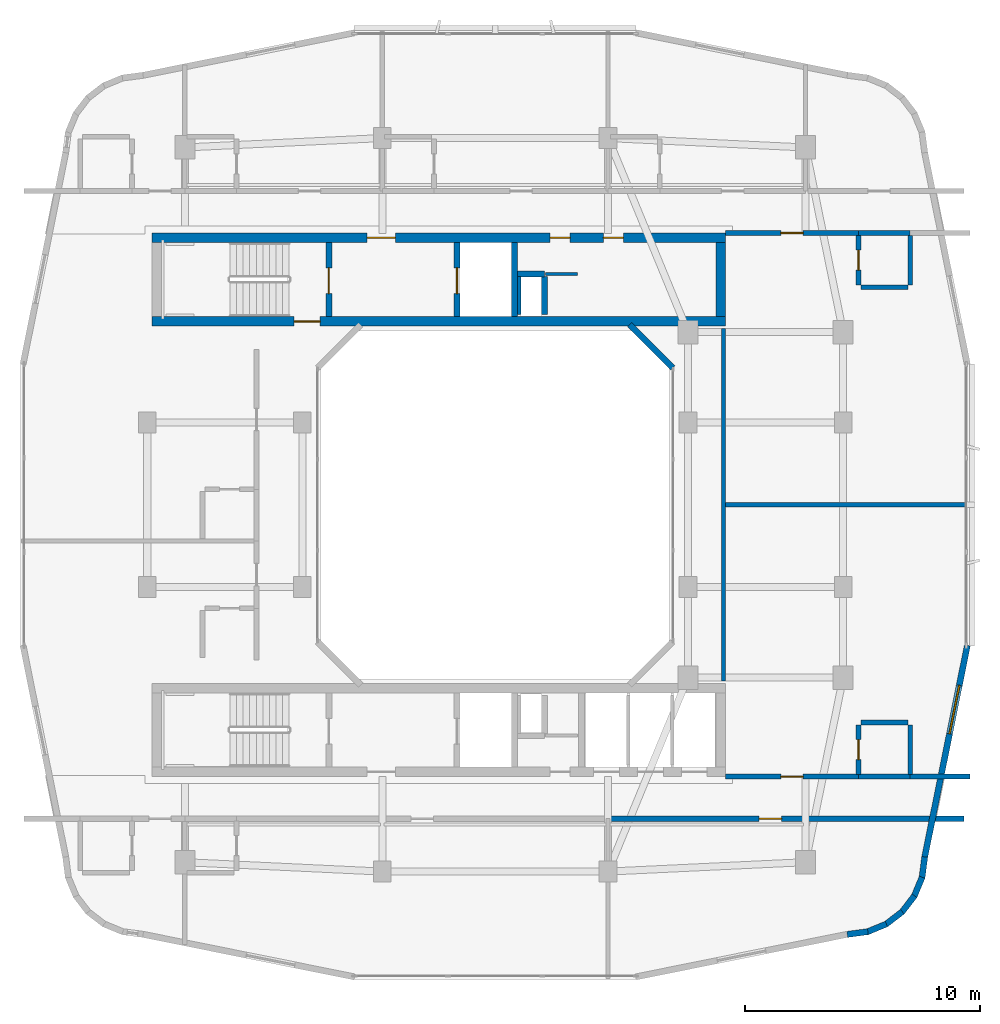
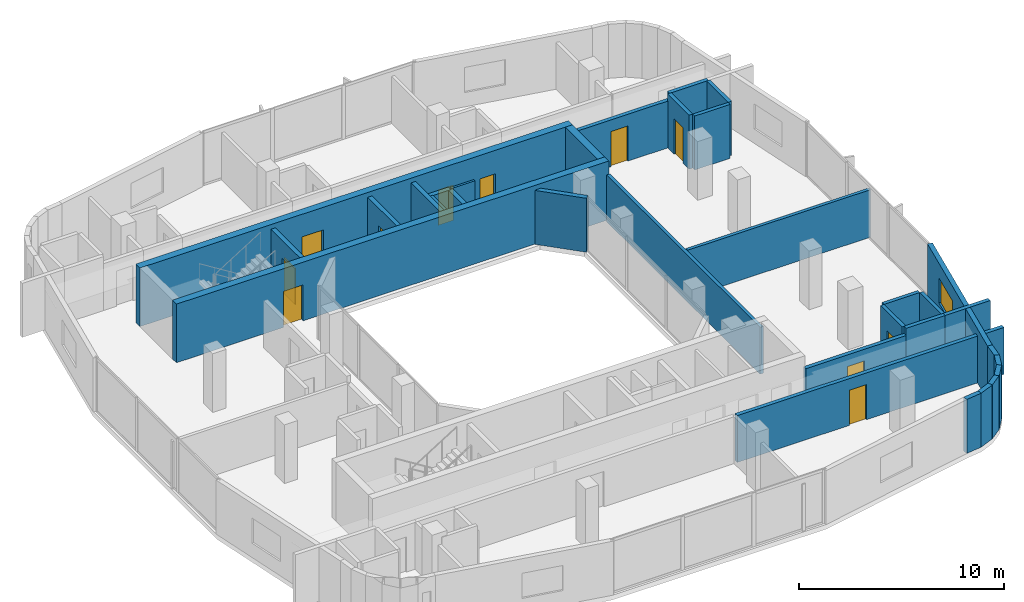
# One storey, part 8 of 14: 32 walls, 11 doors, 1 window, 12 openings.
"""IFC4 building model written with IfcOpenShell, lengths in metres."""

from ifc_helpers import new_model, si_unit, derived_unit, direction, frame, frame_2d, origin, place, context, subcontext, project, spatial, rectangle, extrude, material, layer, layer_set, type_object, element, fill, save


model = new_model("IFC4")

# Units and contexts
model_context = context("Model", 3, precision=1e-05, world=origin(), true_north=direction((0.0, 1.0)))
body_context = subcontext(model_context, "Body", "Model", "MODEL_VIEW")
ifc_project = project(units=[si_unit("LENGTHUNIT", "METRE"), si_unit("AREAUNIT", "SQUARE_METRE"), si_unit("VOLUMEUNIT", "CUBIC_METRE"), si_unit("PLANEANGLEUNIT", "RADIAN"), si_unit("MASSUNIT", "GRAM", prefix="KILO"), derived_unit("THERMALTRANSMITTANCEUNIT", [(si_unit("POWERUNIT", "WATT"), 1), (si_unit("LENGTHUNIT", "METRE"), -2), (si_unit("THERMODYNAMICTEMPERATUREUNIT", "KELVIN"), -1)])], contexts=[model_context])

# Site, building, storey
site_placement = place(None, origin())
site = spatial("IfcSite", under=ifc_project, at=site_placement, CompositionType="ELEMENT")
building_placement = place(site_placement, origin())
building = spatial("IfcBuilding", under=site, at=building_placement, Name="Kivonza Crest Hotel", CompositionType="ELEMENT")
storey_placement = place(building_placement, frame((0.0, 0.0, 152.0)))
storey = spatial("IfcBuildingStorey", under=building, at=storey_placement, Name="L41", CompositionType="ELEMENT", Elevation=152.0)

# Walls
ifc_material_1 = material(Name="High-density acoustic masonry inter-tenancy wall", Category="masonry")
ifc_layer_1 = layer(ifc_material_1, 0.179931640625)
ifc_layer_set_1 = layer_set([ifc_layer_1], Name="High-density acoustic masonry inter-tenancy wall")
wall_type_1 = type_object("IfcWallType", Name="WL-ACOU-180", PredefinedType="SOLIDWALL", material=ifc_layer_set_1)
wall_1_placement = place(storey_placement, frame((30.800048828125, 25.0, 0.0), z_axis=(0.0, 0.0, 1.0), x_axis=(1.0, 0.0, 0.0)))
element("IfcWall", 1, at=wall_1_placement, inside=storey, type_object=wall_type_1, Name="L41 interior partition WA-L41-T1EC-DIV", PredefinedType="SOLIDWALL", context=body_context, shape_type="SweptSolid", body=[
    extrude(rectangle(XDim=10.33984375, YDim=0.179931640625, at=frame_2d((5.169921875, 0.0))), origin(), (0.0, 0.0, 1.0), 2.8349609375),
])
wall_2_placement = place(storey_placement, frame((30.7099609375, 17.5, 0.0), z_axis=(0.0, 0.0, 1.0), x_axis=(0.0, 1.0, 0.0)))
element("IfcWall", 2, at=wall_2_placement, inside=storey, type_object=wall_type_1, Name="L41 interior partition WA-L41-T1EC-W", PredefinedType="SOLIDWALL", context=body_context, shape_type="SweptSolid", body=[
    extrude(rectangle(XDim=15.0, YDim=0.179931640625, at=frame_2d((7.5, 0.0))), origin(), (0.0, 0.0, 1.0), 2.794921875),
])

# Wall, opening, door
ifc_material_2 = material(Name="Autoclaved aerated concrete blockwork", Category="masonry")
ifc_layer_2 = layer(ifc_material_2, 0.219970703125)
ifc_layer_set_2 = layer_set([ifc_layer_2], Name="Autoclaved aerated concrete blockwork")
wall_type_2 = type_object("IfcWallType", Name="WL-ACOU-220", PredefinedType="SOLIDWALL", material=ifc_layer_set_2)
wall_3_placement = place(storey_placement, frame((25.89990234375, 11.64990234375, 0.0), z_axis=(0.0, 0.0, 1.0), x_axis=(1.0, 0.0, 0.0)))
wall_3 = element("IfcWall", 3, at=wall_3_placement, inside=storey, type_object=wall_type_2, Name="L41 interior partition WA-L41-BUS-MTG-N", PredefinedType="SOLIDWALL", context=body_context, shape_type="SweptSolid", body=[
    extrude(rectangle(XDim=15.0400390625, YDim=0.219970703125, at=frame_2d((7.52001953125, 0.0))), origin(), (0.0, 0.0, 1.0), 2.794921875),
])
opening_1_placement = place(wall_3_placement, frame((6.330078125, 0.0, 0.0)))
opening_1 = element("IfcOpeningElement", 4, at=opening_1_placement, cuts=wall_3, Name="Opening DF-60S", PredefinedType="OPENING", context=body_context, shape_type="SweptSolid", body=[
    extrude(rectangle(XDim=0.949951171875, YDim=2.10009765625, at=frame_2d((0.47509765625, 1.050048828125))), frame((0.0, 0.1201171875, 0.0), z_axis=(0.0, -1.0, 0.0), x_axis=(1.0, 0.0, 0.0)), (0.0, 0.0, 1.0), 0.239990234375),
])
ifc_material_3 = material(Name="Hardwood timber oak", Category="wood")
door_type_1 = type_object("IfcDoorType", Name="DR-FD60-950", OperationType="NOTDEFINED", PredefinedType="DOOR", material=ifc_material_3)
door_1_placement = place(opening_1_placement, frame((0.949951171875, 0.0, 0.0), z_axis=(0.0, 0.0, 1.0), x_axis=(-1.0, 0.0, 0.0)))
door_1 = element("IfcDoor", 5, at=door_1_placement, inside=storey, type_object=door_type_1, Name="L41 Executive Club Lounge door", OperationType="SINGLE_SWING_RIGHT", OverallHeight=2.10009765625, OverallWidth=0.949951171875, PredefinedType="DOOR", context=body_context, shape_type="SweptSolid", body=[
    extrude(rectangle(XDim=0.949951171875, YDim=2.10009765625, at=frame_2d((0.47509765625, 1.050048828125))), frame((0.0, 0.02490234375, 0.0), z_axis=(0.0, -1.0, 0.0), x_axis=(1.0, 0.0, 0.0)), (0.0, 0.0, 1.0), 0.050048828125),
])
fill(opening_1, door_1)

# Walls
wall_4_placement = place(storey_placement, frame((38.64990234375, 13.43994140625, 0.0), z_axis=(0.0, 0.0, 1.0), x_axis=(1.0, 0.0, 0.0)))
element("IfcWall", 6, at=wall_4_placement, inside=storey, type_object=wall_type_2, Name="L41 interior partition WA-L41-ES09-XCORR", PredefinedType="SOLIDWALL", context=body_context, shape_type="SweptSolid", body=[
    extrude(rectangle(XDim=2.550048828125, YDim=0.219970703125, at=frame_2d((1.27490234375, 0.0))), origin(), (0.0, 0.0, 1.0), 3.219970703125),
])
wall_5_placement = place(storey_placement, frame((36.449951171875, 13.43994140625, 0.0), z_axis=(0.0, 0.0, 1.0), x_axis=(1.0, 0.0, 0.0)))
element("IfcWall", 7, at=wall_5_placement, inside=storey, type_object=wall_type_2, Name="L41 interior partition WA-L41-ES09-BCORR", PredefinedType="SOLIDWALL", context=body_context, shape_type="SweptSolid", body=[
    extrude(rectangle(XDim=2.199951171875, YDim=0.219970703125, at=frame_2d((1.10009765625, 0.0))), origin(), (0.0, 0.0, 1.0), 3.219970703125),
])

# Wall, opening, door
wall_6_placement = place(storey_placement, frame((30.800048828125, 13.43994140625, 0.0), z_axis=(0.0, 0.0, 1.0), x_axis=(1.0, 0.0, 0.0)))
wall_6 = element("IfcWall", 8, at=wall_6_placement, inside=storey, type_object=wall_type_2, Name="L41 interior partition WA-L41-ES09-MCORR", PredefinedType="SOLIDWALL", context=body_context, shape_type="SweptSolid", body=[
    extrude(rectangle(XDim=5.64990234375, YDim=0.219970703125, at=frame_2d((2.824951171875, 0.0))), origin(), (0.0, 0.0, 1.0), 2.794921875),
])
opening_2_placement = place(wall_6_placement, frame((2.35009765625, 0.0, 0.0)))
opening_2 = element("IfcOpeningElement", 9, at=opening_2_placement, cuts=wall_6, Name="Opening DU-60", PredefinedType="OPENING", context=body_context, shape_type="SweptSolid", body=[
    extrude(rectangle(XDim=0.949951171875, YDim=2.10009765625, at=frame_2d((0.47509765625, 1.050048828125))), frame((0.0, 0.1201171875, 0.0), z_axis=(0.0, -1.0, 0.0), x_axis=(1.0, 0.0, 0.0)), (0.0, 0.0, 1.0), 0.239990234375),
])
door_type_2 = type_object("IfcDoorType", Name="DR-UNIT-950", OperationType="NOTDEFINED", PredefinedType="DOOR", material=ifc_material_3)
door_2_placement = place(opening_2_placement, origin())
door_2 = element("IfcDoor", 10, at=door_2_placement, inside=storey, type_object=door_type_2, Name="L41 ES09 guest unit entrance fire door", OperationType="SINGLE_SWING_RIGHT", OverallHeight=2.10009765625, OverallWidth=0.949951171875, PredefinedType="DOOR", context=body_context, shape_type="SweptSolid", body=[
    extrude(rectangle(XDim=0.949951171875, YDim=2.10009765625, at=frame_2d((0.47509765625, 1.050048828125))), frame((0.0, 0.02490234375, 0.0), z_axis=(0.0, -1.0, 0.0), x_axis=(1.0, 0.0, 0.0)), (0.0, 0.0, 1.0), 0.050048828125),
])
fill(opening_2, door_2)

# Wall
wall_7_placement = place(storey_placement, frame((36.449951171875, 36.56005859375, 0.0), z_axis=(0.0, 0.0, 1.0), x_axis=(1.0, 0.0, 0.0)))
element("IfcWall", 11, at=wall_7_placement, inside=storey, type_object=wall_type_2, Name="L41 interior partition WA-L41-EN10-BCORR", PredefinedType="SOLIDWALL", context=body_context, shape_type="SweptSolid", body=[
    extrude(rectangle(XDim=2.199951171875, YDim=0.219970703125, at=frame_2d((1.10009765625, 0.0))), origin(), (0.0, 0.0, 1.0), 3.219970703125),
])

# Wall, opening, door
wall_8_placement = place(storey_placement, frame((30.800048828125, 36.56005859375, 0.0), z_axis=(0.0, 0.0, 1.0), x_axis=(1.0, 0.0, 0.0)))
wall_8 = element("IfcWall", 12, at=wall_8_placement, inside=storey, type_object=wall_type_2, Name="L41 interior partition WA-L41-EN10-MCORR", PredefinedType="SOLIDWALL", context=body_context, shape_type="SweptSolid", body=[
    extrude(rectangle(XDim=5.64990234375, YDim=0.219970703125, at=frame_2d((2.824951171875, 0.0))), origin(), (0.0, 0.0, 1.0), 2.794921875),
])
opening_3_placement = place(wall_8_placement, frame((2.35009765625, 0.0, 0.0)))
opening_3 = element("IfcOpeningElement", 13, at=opening_3_placement, cuts=wall_8, Name="Opening DU-60", PredefinedType="OPENING", context=body_context, shape_type="SweptSolid", body=[
    extrude(rectangle(XDim=0.949951171875, YDim=2.10009765625, at=frame_2d((0.47509765625, 1.050048828125))), frame((0.0, 0.1201171875, 0.0), z_axis=(0.0, -1.0, 0.0), x_axis=(1.0, 0.0, 0.0)), (0.0, 0.0, 1.0), 0.239990234375),
])
door_3_placement = place(opening_3_placement, frame((0.949951171875, 0.0, 0.0), z_axis=(0.0, 0.0, 1.0), x_axis=(-1.0, 0.0, 0.0)))
door_3 = element("IfcDoor", 14, at=door_3_placement, inside=storey, type_object=door_type_2, Name="L41 EN10 guest unit entrance fire door", OperationType="SINGLE_SWING_LEFT", OverallHeight=2.10009765625, OverallWidth=0.949951171875, PredefinedType="DOOR", context=body_context, shape_type="SweptSolid", body=[
    extrude(rectangle(XDim=0.949951171875, YDim=2.10009765625, at=frame_2d((0.47509765625, 1.050048828125))), frame((0.0, 0.02490234375, 0.0), z_axis=(0.0, -1.0, 0.0), x_axis=(1.0, 0.0, 0.0)), (0.0, 0.0, 1.0), 0.050048828125),
])
fill(opening_3, door_3)

ifc_material_4 = material(Name="Concrete C50/60", Category="concrete")
ifc_layer_3 = layer(ifc_material_4, 0.39990234375)
ifc_layer_set_3 = layer_set([ifc_layer_3], Name="Concrete C50/60")
wall_type_3 = type_object("IfcWallType", Name="WL-CORE-400", PredefinedType="SHEAR", material=ifc_layer_set_3)
wall_9_placement = place(storey_placement, frame((6.39990234375, 32.800048828125, 0.0), z_axis=(0.0, 0.0, 1.0), x_axis=(1.0, 0.0, 0.0)))
wall_9 = element("IfcWall", 15, at=wall_9_placement, inside=storey, type_object=wall_type_3, Name="Core wall T1-N South L41", PredefinedType="SHEAR", context=body_context, shape_type="SweptSolid", body=[
    extrude(rectangle(XDim=24.400146484375, YDim=0.39990234375, at=frame_2d((12.2001953125, 0.0))), origin(), (0.0, 0.0, 1.0), 3.5),
])
opening_4_placement = place(wall_9_placement, frame((6.050048828125, 0.0, 0.0)))
opening_4 = element("IfcOpeningElement", 16, at=opening_4_placement, cuts=wall_9, Name="Opening DF-120", PredefinedType="OPENING", context=body_context, shape_type="SweptSolid", body=[
    extrude(rectangle(XDim=1.10009765625, YDim=2.14990234375, at=frame_2d((0.550048828125, 1.074951171875))), frame((0.0, 0.2099609375, 0.0), z_axis=(0.0, -1.0, 0.0), x_axis=(1.0, 0.0, 0.0)), (0.0, 0.0, 1.0), 0.419921875),
])
ifc_material_5 = material(Name="Galvanised steel", Category="steel")
door_type_3 = type_object("IfcDoorType", Name="DR-FD120-1100", OperationType="NOTDEFINED", PredefinedType="DOOR", material=ifc_material_5)
door_4_placement = place(opening_4_placement, origin())
door_4 = element("IfcDoor", 17, at=door_4_placement, inside=storey, type_object=door_type_3, Name="L41 West corridor stair access fire door", OperationType="SINGLE_SWING_LEFT", OverallHeight=2.14990234375, OverallWidth=1.10009765625, PredefinedType="DOOR", context=body_context, shape_type="SweptSolid", body=[
    extrude(rectangle(XDim=1.10009765625, YDim=2.14990234375, at=frame_2d((0.550048828125, 1.074951171875))), frame((0.0, 0.02490234375, 0.0), z_axis=(0.0, -1.0, 0.0), x_axis=(1.0, 0.0, 0.0)), (0.0, 0.0, 1.0), 0.050048828125),
])
fill(opening_4, door_4)

# Wall, openings, doors
wall_10_placement = place(storey_placement, frame((6.39990234375, 36.360107421875, 0.0), z_axis=(0.0, 0.0, 1.0), x_axis=(1.0, 0.0, 0.0)))
wall_10 = element("IfcWall", 18, at=wall_10_placement, inside=storey, type_object=wall_type_3, Name="Core wall T1-N North L41", PredefinedType="SHEAR", context=body_context, shape_type="SweptSolid", body=[
    extrude(rectangle(XDim=24.400146484375, YDim=0.39990234375, at=frame_2d((12.2001953125, 0.0))), origin(), (0.0, 0.0, 1.0), 3.5),
])
opening_5_placement = place(wall_10_placement, frame((9.14990234375, 0.0, 0.0)))
opening_5 = element("IfcOpeningElement", 19, at=opening_5_placement, cuts=wall_10, Name="Opening DF-60", PredefinedType="OPENING", context=body_context, shape_type="SweptSolid", body=[
    extrude(rectangle(XDim=1.199951171875, YDim=2.14990234375, at=frame_2d((0.60009765625, 1.074951171875))), frame((0.0, 0.2099609375, 0.0), z_axis=(0.0, -1.0, 0.0), x_axis=(1.0, 0.0, 0.0)), (0.0, 0.0, 1.0), 0.419921875),
])
opening_6_placement = place(wall_10_placement, frame((19.199951171875, 0.0, 0.0)))
opening_6 = element("IfcOpeningElement", 20, at=opening_6_placement, cuts=wall_10, Name="Opening DF-60R", PredefinedType="OPENING", context=body_context, shape_type="SweptSolid", body=[
    extrude(rectangle(XDim=0.85009765625, YDim=2.10009765625, at=frame_2d((0.425048828125, 1.050048828125))), frame((0.0, 0.2099609375, 0.0), z_axis=(0.0, -1.0, 0.0), x_axis=(1.0, 0.0, 0.0)), (0.0, 0.0, 1.0), 0.419921875),
])
opening_7_placement = place(wall_10_placement, frame((16.93994140625, 0.0, 0.0)))
opening_7 = element("IfcOpeningElement", 21, at=opening_7_placement, cuts=wall_10, Name="Opening DF-60R", PredefinedType="OPENING", context=body_context, shape_type="SweptSolid", body=[
    extrude(rectangle(XDim=0.85009765625, YDim=2.10009765625, at=frame_2d((0.425048828125, 1.050048828125))), frame((0.0, 0.2099609375, 0.0), z_axis=(0.0, -1.0, 0.0), x_axis=(1.0, 0.0, 0.0)), (0.0, 0.0, 1.0), 0.419921875),
])
door_type_4 = type_object("IfcDoorType", Name="DR-FD60-1200", OperationType="NOTDEFINED", PredefinedType="DOOR", material=ifc_material_3)
door_5_placement = place(opening_5_placement, origin())
door_5 = element("IfcDoor", 22, at=door_5_placement, inside=storey, type_object=door_type_4, Name="L41 T1-N firefighting lobby fire door", OperationType="SINGLE_SWING_RIGHT", OverallHeight=2.14990234375, OverallWidth=1.199951171875, PredefinedType="DOOR", context=body_context, shape_type="SweptSolid", body=[
    extrude(rectangle(XDim=1.199951171875, YDim=2.14990234375, at=frame_2d((0.60009765625, 1.074951171875))), frame((0.0, 0.02490234375, 0.0), z_axis=(0.0, -1.0, 0.0), x_axis=(1.0, 0.0, 0.0)), (0.0, 0.0, 1.0), 0.050048828125),
])
fill(opening_5, door_5)
door_type_5 = type_object("IfcDoorType", Name="DR-FD60-850", OperationType="NOTDEFINED", PredefinedType="DOOR", material=ifc_material_3)
door_6_placement = place(opening_6_placement, origin())
door_6 = element("IfcDoor", 23, at=door_6_placement, inside=storey, type_object=door_type_5, Name="L41 T1-N reclaimed core service door", OperationType="SINGLE_SWING_LEFT", OverallHeight=2.10009765625, OverallWidth=0.85009765625, PredefinedType="DOOR", context=body_context, shape_type="SweptSolid", body=[
    extrude(rectangle(XDim=0.85009765625, YDim=2.10009765625, at=frame_2d((0.425048828125, 1.050048828125))), frame((0.0, 0.02490234375, 0.0), z_axis=(0.0, -1.0, 0.0), x_axis=(1.0, 0.0, 0.0)), (0.0, 0.0, 1.0), 0.050048828125),
])
fill(opening_6, door_6)
door_7_placement = place(opening_7_placement, origin())
door_7 = element("IfcDoor", 24, at=door_7_placement, inside=storey, type_object=door_type_5, Name="L41 T1-N core room door", OperationType="SINGLE_SWING_RIGHT", OverallHeight=2.10009765625, OverallWidth=0.85009765625, PredefinedType="DOOR", context=body_context, shape_type="SweptSolid", body=[
    extrude(rectangle(XDim=0.85009765625, YDim=2.10009765625, at=frame_2d((0.425048828125, 1.050048828125))), frame((0.0, 0.02490234375, 0.0), z_axis=(0.0, -1.0, 0.0), x_axis=(1.0, 0.0, 0.0)), (0.0, 0.0, 1.0), 0.050048828125),
])
fill(opening_7, door_7)

# Walls
wall_11_placement = place(storey_placement, frame((30.60009765625, 33.0, 0.0), z_axis=(0.0, 0.0, 1.0), x_axis=(0.0, 1.0, 0.0)))
element("IfcWall", 25, at=wall_11_placement, inside=storey, type_object=wall_type_3, Name="Core wall T1-N East L41", PredefinedType="SHEAR", context=body_context, shape_type="SweptSolid", body=[
    extrude(rectangle(XDim=3.159912109375, YDim=0.39990234375, at=frame_2d((1.580078125, 0.0))), origin(), (0.0, 0.0, 1.0), 3.5),
])
ifc_material_6 = material(Name="Precast concrete C40/50", Category="concrete")
ifc_layer_4 = layer(ifc_material_6, 0.260009765625)
ifc_layer_set_4 = layer_set([ifc_layer_4], Name="Precast concrete C40/50")
wall_type_4 = type_object("IfcWallType", Name="WL-EXT-260", PredefinedType="STANDARD", material=ifc_layer_set_4)
wall_12_placement = place(storey_placement, frame((35.97509765625, 6.72802734375, 0.0), z_axis=(0.0, 0.0, 1.0), x_axis=(0.991388484223, 0.130953706898, 0.0)))
element("IfcWall", 26, at=wall_12_placement, inside=storey, type_object=wall_type_4, Name="L41 T1 exterior insulated wall 10", PredefinedType="STANDARD", context=body_context, shape_type="SweptSolid", body=[
    extrude(rectangle(XDim=0.885498046875, YDim=0.260009765625, at=frame_2d((0.44287109375, 0.0))), origin(), (0.0, 0.0, 1.0), 3.219970703125),
])
wall_13_placement = place(storey_placement, frame((36.806884765625, 6.825927734375, 0.0), z_axis=(0.0, 0.0, 1.0), x_axis=(0.923627776508, 0.383290660547, 0.0)))
element("IfcWall", 27, at=wall_13_placement, inside=storey, type_object=wall_type_4, Name="L41 T1 exterior insulated wall 11", PredefinedType="STANDARD", context=body_context, shape_type="SweptSolid", body=[
    extrude(rectangle(XDim=0.9033203125, YDim=0.260009765625, at=frame_2d((0.45166015625, 0.0))), origin(), (0.0, 0.0, 1.0), 3.219970703125),
])
wall_14_placement = place(storey_placement, frame((37.60107421875, 7.14404296875, 0.0), z_axis=(0.0, 0.0, 1.0), x_axis=(0.793458244748, 0.608624690463, 0.0)))
element("IfcWall", 28, at=wall_14_placement, inside=storey, type_object=wall_type_4, Name="L41 T1 exterior insulated wall 12", PredefinedType="STANDARD", context=body_context, shape_type="SweptSolid", body=[
    extrude(rectangle(XDim=0.902099609375, YDim=0.260009765625, at=frame_2d((0.451171875, 0.0))), origin(), (0.0, 0.0, 1.0), 3.219970703125),
])
wall_15_placement = place(storey_placement, frame((38.285888671875, 7.655029296875, 0.0), z_axis=(0.0, 0.0, 1.0), x_axis=(0.608494022858, 0.793558456666, 0.0)))
element("IfcWall", 29, at=wall_15_placement, inside=storey, type_object=wall_type_4, Name="L41 T1 exterior insulated wall 13", PredefinedType="STANDARD", context=body_context, shape_type="SweptSolid", body=[
    extrude(rectangle(XDim=0.90234375, YDim=0.260009765625, at=frame_2d((0.451171875, 0.0))), origin(), (0.0, 0.0, 1.0), 3.219970703125),
])
wall_16_placement = place(storey_placement, frame((38.81396484375, 8.326904296875, 0.0), z_axis=(0.0, 0.0, 1.0), x_axis=(0.383155708213, 0.923683767999, 0.0)))
element("IfcWall", 30, at=wall_16_placement, inside=storey, type_object=wall_type_4, Name="L41 T1 exterior insulated wall 14", PredefinedType="STANDARD", context=body_context, shape_type="SweptSolid", body=[
    extrude(rectangle(XDim=0.90283203125, YDim=0.260009765625, at=frame_2d((0.451416015625, 0.0))), origin(), (0.0, 0.0, 1.0), 3.219970703125),
])
wall_17_placement = place(storey_placement, frame((39.152099609375, 9.112060546875, 0.0), z_axis=(0.0, 0.0, 1.0), x_axis=(0.130200706103, 0.991487658083, 0.0)))
element("IfcWall", 31, at=wall_17_placement, inside=storey, type_object=wall_type_4, Name="L41 T1 exterior insulated wall 15", PredefinedType="STANDARD", context=body_context, shape_type="SweptSolid", body=[
    extrude(rectangle(XDim=0.920654296875, YDim=0.260009765625, at=frame_2d((0.46044921875, 0.0))), origin(), (0.0, 0.0, 1.0), 3.219970703125),
])

# Wall, opening, window
wall_18_placement = place(storey_placement, frame((39.27099609375, 10.01806640625, 0.0), z_axis=(0.0, 0.0, 1.0), x_axis=(0.197435082048, 0.980315963543, 0.0)))
wall_18 = element("IfcWall", 32, at=wall_18_placement, inside=storey, type_object=wall_type_4, Name="L41 T1 exterior insulated wall 16", PredefinedType="STANDARD", context=body_context, shape_type="SweptSolid", body=[
    extrude(rectangle(XDim=9.1826171875, YDim=0.260009765625, at=frame_2d((4.59130859375, 0.0))), origin(), (0.0, 0.0, 1.0), 3.219970703125),
])
opening_8_placement = place(wall_18_placement, frame((5.34912109375, 0.0, 0.85009765625)))
opening_8 = element("IfcOpeningElement", 33, at=opening_8_placement, cuts=wall_18, Name="Opening WN-04", PredefinedType="OPENING", context=body_context, shape_type="SweptSolid", body=[
    extrude(rectangle(XDim=2.10009765625, YDim=1.5, at=frame_2d((1.050048828125, 0.75))), frame((0.0, 0.14013671875, 0.0), z_axis=(0.0, -1.0, 0.0), x_axis=(1.0, 0.0, 0.0)), (0.0, 0.0, 1.0), 0.280029296875),
])
ifc_material_7 = material(Name="Thermally broken bronze aluminium and low-E double glazing", Category="aluminium")
window_type = type_object("IfcWindowType", Name="WN-210x150", PartitioningType="DOUBLE_PANEL_VERTICAL", PredefinedType="WINDOW", material=ifc_material_7)
window_placement = place(opening_8_placement, origin())
window = element("IfcWindow", 34, at=window_placement, inside=storey, type_object=window_type, Name="L41 T1 facade window 16", OverallHeight=1.5, OverallWidth=2.10009765625, PartitioningType="SINGLE_PANEL", PredefinedType="WINDOW", context=body_context, shape_type="SweptSolid", body=[
    extrude(rectangle(XDim=2.10009765625, YDim=1.5, at=frame_2d((1.050048828125, 0.75))), frame((0.0, 0.030029296875, 0.0), z_axis=(0.0, -1.0, 0.0), x_axis=(1.0, 0.0, 0.0)), (0.0, 0.0, 1.0), 0.06005859375),
])
fill(opening_8, window)

# Walls
wall_19_placement = place(storey_placement, frame((28.555908203125, 30.827880859375, 0.0), z_axis=(0.0, 0.0, 1.0), x_axis=(-0.707059717605, 0.707153841636, 0.0)))
element("IfcWall", 35, at=wall_19_placement, inside=storey, type_object=wall_type_4, Name="L41 T1 light-well exterior wall 4", PredefinedType="STANDARD", context=body_context, shape_type="SweptSolid", body=[
    extrude(rectangle(XDim=2.59375, YDim=0.260009765625, at=frame_2d((1.296875, 0.0))), origin(), (0.0, 0.0, 1.0), 3.219970703125),
])
ifc_material_8 = material(Name="Concrete blockwork fire-compartment wall", Category="masonry")
ifc_layer_5 = layer(ifc_material_8, 0.25)
ifc_layer_set_5 = layer_set([ifc_layer_5], Name="Concrete blockwork fire-compartment wall")
wall_type_5 = type_object("IfcWallType", Name="WL-FIRE-250", PredefinedType="SOLIDWALL", material=ifc_layer_set_5)
wall_20_placement = place(storey_placement, frame((23.10009765625, 33.10009765625, 0.0), z_axis=(0.0, 0.0, 1.0), x_axis=(0.0, 1.0, 0.0)))
element("IfcWall", 36, at=wall_20_placement, inside=storey, type_object=wall_type_5, Name="L41 interior partition WA-L41-T1-N-MEPR-E", PredefinedType="SOLIDWALL", context=body_context, shape_type="SweptSolid", body=[
    extrude(rectangle(XDim=1.619873046875, YDim=0.25, at=frame_2d((0.81005859375, 0.0))), origin(), (0.0, 0.0, 1.0), 3.219970703125),
])
wall_21_placement = place(storey_placement, frame((21.949951171875, 34.820068359375, 0.0), z_axis=(0.0, 0.0, 1.0), x_axis=(1.0, 0.0, 0.0)))
element("IfcWall", 37, at=wall_21_placement, inside=storey, type_object=wall_type_5, Name="L41 interior partition WA-L41-T1-N-MEPR-H", PredefinedType="SOLIDWALL", context=body_context, shape_type="SweptSolid", body=[
    extrude(rectangle(XDim=1.150146484375, YDim=0.25, at=frame_2d((0.5751953125, 0.0))), origin(), (0.0, 0.0, 1.0), 3.219970703125),
])
ifc_material_9 = material(Name="Metal-stud gypsum board partition", Category="gypsum")
ifc_layer_6 = layer(ifc_material_9, 0.125)
ifc_layer_set_6 = layer_set([ifc_layer_6], Name="Metal-stud gypsum board partition")
wall_type_6 = type_object("IfcWallType", Name="WL-PART-125", PredefinedType="PARTITIONING", material=ifc_layer_set_6)
wall_22_placement = place(storey_placement, frame((23.14990234375, 34.820068359375, 0.0), z_axis=(0.0, 0.0, 1.0), x_axis=(1.0, 0.0, 0.0)))
element("IfcWall", 38, at=wall_22_placement, inside=storey, type_object=wall_type_6, Name="L41 interior partition WP-L41-T1-N-SV2H", PredefinedType="PARTITIONING", context=body_context, shape_type="SweptSolid", body=[
    extrude(rectangle(XDim=1.35009765625, YDim=0.125, at=frame_2d((0.675048828125, 0.0))), origin(), (0.0, 0.0, 1.0), 3.219970703125),
])
ifc_material_10 = material(Name="Twin-stud acoustic gypsum board partition", Category="gypsum")
ifc_layer_7 = layer(ifc_material_10, 0.14990234375)
ifc_layer_set_7 = layer_set([ifc_layer_7], Name="Twin-stud acoustic gypsum board partition")
wall_type_7 = type_object("IfcWallType", Name="WL-PART-150", PredefinedType="PARTITIONING", material=ifc_layer_set_7)
wall_23_placement = place(storey_placement, frame((22.030029296875, 33.10009765625, 0.0), z_axis=(0.0, 0.0, 1.0), x_axis=(0.0, 1.0, 0.0)))
element("IfcWall", 39, at=wall_23_placement, inside=storey, type_object=wall_type_7, Name="L41 interior partition WA-L41-T1-N-MEPR-W", PredefinedType="PARTITIONING", context=body_context, shape_type="SweptSolid", body=[
    extrude(rectangle(XDim=1.619873046875, YDim=0.14990234375, at=frame_2d((0.81005859375, 0.0))), origin(), (0.0, 0.0, 1.0), 3.219970703125),
])

# Wall, opening, door
ifc_material_11 = material(Name="Moisture-resistant plumbing chase partition wall", Category="gypsum")
ifc_layer_8 = layer(ifc_material_11, 0.199951171875)
ifc_layer_set_8 = layer_set([ifc_layer_8], Name="Moisture-resistant plumbing chase partition wall")
wall_type_8 = type_object("IfcWallType", Name="WL-PLUMB-200", PredefinedType="PLUMBINGWALL", material=ifc_layer_set_8)
wall_24_placement = place(storey_placement, frame((36.449951171875, 13.5400390625, 0.0), z_axis=(0.0, 0.0, 1.0), x_axis=(0.0, 1.0, 0.0)))
wall_24 = element("IfcWall", 40, at=wall_24_placement, inside=storey, type_object=wall_type_8, Name="L41 interior partition WW-L41-ES09-BV", PredefinedType="PLUMBINGWALL", context=body_context, shape_type="SweptSolid", body=[
    extrude(rectangle(XDim=2.099853515625, YDim=0.199951171875, at=frame_2d((1.0498046875, 0.0))), origin(), (0.0, 0.0, 1.0), 3.219970703125),
])
opening_9_placement = place(wall_24_placement, frame((0.625, 0.0, 0.0)))
opening_9 = element("IfcOpeningElement", 41, at=opening_9_placement, cuts=wall_24, Name="Opening DI-85", PredefinedType="OPENING", context=body_context, shape_type="SweptSolid", body=[
    extrude(rectangle(XDim=0.85009765625, YDim=2.10009765625, at=frame_2d((0.425048828125, 1.050048828125))), frame((0.0, 0.10986328125, 0.0), z_axis=(0.0, -1.0, 0.0), x_axis=(1.0, 0.0, 0.0)), (0.0, 0.0, 1.0), 0.219970703125),
])
door_type_6 = type_object("IfcDoorType", Name="DR-INT-850", OperationType="NOTDEFINED", PredefinedType="DOOR", material=ifc_material_3)
door_8_placement = place(opening_9_placement, origin())
door_8 = element("IfcDoor", 42, at=door_8_placement, inside=storey, type_object=door_type_6, Name="L41 ES09 en-suite bathroom door", OperationType="SINGLE_SWING_LEFT", OverallHeight=2.10009765625, OverallWidth=0.85009765625, PredefinedType="DOOR", context=body_context, shape_type="SweptSolid", body=[
    extrude(rectangle(XDim=0.85009765625, YDim=2.10009765625, at=frame_2d((0.425048828125, 1.050048828125))), frame((0.0, 0.02490234375, 0.0), z_axis=(0.0, -1.0, 0.0), x_axis=(1.0, 0.0, 0.0)), (0.0, 0.0, 1.0), 0.050048828125),
])
fill(opening_9, door_8)

# Walls
wall_25_placement = place(storey_placement, frame((36.550048828125, 15.739990234375, 0.0), z_axis=(0.0, 0.0, 1.0), x_axis=(1.0, 0.0, 0.0)))
element("IfcWall", 43, at=wall_25_placement, inside=storey, type_object=wall_type_8, Name="L41 interior partition WW-L41-ES09-BH", PredefinedType="PLUMBINGWALL", context=body_context, shape_type="SweptSolid", body=[
    extrude(rectangle(XDim=2.0, YDim=0.199951171875, at=frame_2d((1.0, 0.0))), origin(), (0.0, 0.0, 1.0), 3.219970703125),
])
wall_26_placement = place(storey_placement, frame((38.64990234375, 13.5400390625, 0.0), z_axis=(0.0, 0.0, 1.0), x_axis=(0.0, 1.0, 0.0)))
element("IfcWall", 44, at=wall_26_placement, inside=storey, type_object=wall_type_8, Name="L41 interior partition WW-L41-ES09-BVE", PredefinedType="PLUMBINGWALL", context=body_context, shape_type="SweptSolid", body=[
    extrude(rectangle(XDim=2.099853515625, YDim=0.199951171875, at=frame_2d((1.0498046875, 0.0))), origin(), (0.0, 0.0, 1.0), 3.219970703125),
])

# Wall, opening, door
wall_27_placement = place(storey_placement, frame((36.449951171875, 34.360107421875, 0.0), z_axis=(0.0, 0.0, 1.0), x_axis=(0.0, 1.0, 0.0)))
wall_27 = element("IfcWall", 45, at=wall_27_placement, inside=storey, type_object=wall_type_8, Name="L41 interior partition WW-L41-EN10-BV", PredefinedType="PLUMBINGWALL", context=body_context, shape_type="SweptSolid", body=[
    extrude(rectangle(XDim=2.099853515625, YDim=0.199951171875, at=frame_2d((1.0498046875, 0.0))), origin(), (0.0, 0.0, 1.0), 3.219970703125),
])
opening_10_placement = place(wall_27_placement, frame((0.625, 0.0, 0.0)))
opening_10 = element("IfcOpeningElement", 46, at=opening_10_placement, cuts=wall_27, Name="Opening DI-85", PredefinedType="OPENING", context=body_context, shape_type="SweptSolid", body=[
    extrude(rectangle(XDim=0.85009765625, YDim=2.10009765625, at=frame_2d((0.425048828125, 1.050048828125))), frame((0.0, 0.10986328125, 0.0), z_axis=(0.0, -1.0, 0.0), x_axis=(1.0, 0.0, 0.0)), (0.0, 0.0, 1.0), 0.219970703125),
])
door_9_placement = place(opening_10_placement, origin())
door_9 = element("IfcDoor", 47, at=door_9_placement, inside=storey, type_object=door_type_6, Name="L41 EN10 en-suite bathroom door", OperationType="SINGLE_SWING_RIGHT", OverallHeight=2.10009765625, OverallWidth=0.85009765625, PredefinedType="DOOR", context=body_context, shape_type="SweptSolid", body=[
    extrude(rectangle(XDim=0.85009765625, YDim=2.10009765625, at=frame_2d((0.425048828125, 1.050048828125))), frame((0.0, 0.02490234375, 0.0), z_axis=(0.0, -1.0, 0.0), x_axis=(1.0, 0.0, 0.0)), (0.0, 0.0, 1.0), 0.050048828125),
])
fill(opening_10, door_9)

# Walls
wall_28_placement = place(storey_placement, frame((36.550048828125, 34.260009765625, 0.0), z_axis=(0.0, 0.0, 1.0), x_axis=(1.0, 0.0, 0.0)))
element("IfcWall", 48, at=wall_28_placement, inside=storey, type_object=wall_type_8, Name="L41 interior partition WW-L41-EN10-BH", PredefinedType="PLUMBINGWALL", context=body_context, shape_type="SweptSolid", body=[
    extrude(rectangle(XDim=2.0, YDim=0.199951171875, at=frame_2d((1.0, 0.0))), origin(), (0.0, 0.0, 1.0), 3.219970703125),
])
wall_29_placement = place(storey_placement, frame((38.64990234375, 34.360107421875, 0.0), z_axis=(0.0, 0.0, 1.0), x_axis=(0.0, 1.0, 0.0)))
element("IfcWall", 49, at=wall_29_placement, inside=storey, type_object=wall_type_8, Name="L41 interior partition WW-L41-EN10-BVE", PredefinedType="PLUMBINGWALL", context=body_context, shape_type="SweptSolid", body=[
    extrude(rectangle(XDim=2.099853515625, YDim=0.199951171875, at=frame_2d((1.0498046875, 0.0))), origin(), (0.0, 0.0, 1.0), 3.219970703125),
])

# Wall, opening, door
ifc_layer_9 = layer(ifc_material_4, 0.25)
ifc_layer_set_9 = layer_set([ifc_layer_9], Name="Concrete C50/60")
wall_type_9 = type_object("IfcWallType", Name="WL-SHAFT-250", PredefinedType="STANDARD", material=ifc_layer_set_9)
wall_30_placement = place(storey_placement, frame((13.925048828125, 33.0, 0.0), z_axis=(0.0, 0.0, 1.0), x_axis=(0.0, 1.0, 0.0)))
wall_30 = element("IfcWall", 50, at=wall_30_placement, inside=storey, type_object=wall_type_9, Name="Core shaft wall T1-N STAIR L41", PredefinedType="STANDARD", context=body_context, shape_type="SweptSolid", body=[
    extrude(rectangle(XDim=3.159912109375, YDim=0.25, at=frame_2d((1.580078125, 0.0))), origin(), (0.0, 0.0, 1.0), 3.219970703125),
])
opening_11_placement = place(wall_30_placement, frame((0.97998046875, 0.0, 0.0)))
opening_11 = element("IfcOpeningElement", 51, at=opening_11_placement, cuts=wall_30, Name="Opening DF-120", PredefinedType="OPENING", context=body_context, shape_type="SweptSolid", body=[
    extrude(rectangle(XDim=1.10009765625, YDim=2.14990234375, at=frame_2d((0.550048828125, 1.074951171875))), frame((0.0, 0.135009765625, 0.0), z_axis=(0.0, -1.0, 0.0), x_axis=(1.0, 0.0, 0.0)), (0.0, 0.0, 1.0), 0.27001953125),
])
door_10_placement = place(opening_11_placement, frame((1.10009765625, 0.0, 0.0), z_axis=(0.0, 0.0, 1.0), x_axis=(-1.0, 0.0, 0.0)))
door_10 = element("IfcDoor", 52, at=door_10_placement, inside=storey, type_object=door_type_3, Name="L41 T1-N stair fire door", OperationType="SINGLE_SWING_LEFT", OverallHeight=2.14990234375, OverallWidth=1.10009765625, PredefinedType="DOOR", context=body_context, shape_type="SweptSolid", body=[
    extrude(rectangle(XDim=1.10009765625, YDim=2.14990234375, at=frame_2d((0.550048828125, 1.074951171875))), frame((0.0, 0.02490234375, 0.0), z_axis=(0.0, -1.0, 0.0), x_axis=(1.0, 0.0, 0.0)), (0.0, 0.0, 1.0), 0.050048828125),
])
fill(opening_11, door_10)

wall_31_placement = place(storey_placement, frame((19.375, 33.0, 0.0), z_axis=(0.0, 0.0, 1.0), x_axis=(0.0, 1.0, 0.0)))
wall_31 = element("IfcWall", 53, at=wall_31_placement, inside=storey, type_object=wall_type_9, Name="Core shaft wall T1-N FFL-W L41", PredefinedType="STANDARD", context=body_context, shape_type="SweptSolid", body=[
    extrude(rectangle(XDim=3.159912109375, YDim=0.25, at=frame_2d((1.580078125, 0.0))), origin(), (0.0, 0.0, 1.0), 3.219970703125),
])
opening_12_placement = place(wall_31_placement, frame((0.97998046875, 0.0, 0.0)))
opening_12 = element("IfcOpeningElement", 54, at=opening_12_placement, cuts=wall_31, Name="Opening LD-120", PredefinedType="OPENING", context=body_context, shape_type="SweptSolid", body=[
    extrude(rectangle(XDim=1.10009765625, YDim=2.14990234375, at=frame_2d((0.550048828125, 1.074951171875))), frame((0.0, 0.135009765625, 0.0), z_axis=(0.0, -1.0, 0.0), x_axis=(1.0, 0.0, 0.0)), (0.0, 0.0, 1.0), 0.27001953125),
])
ifc_material_12 = material(Name="Stainless steel", Category="steel")
door_type_7 = type_object("IfcDoorType", Name="DR-LD120-1100", OperationType="NOTDEFINED", PredefinedType="DOOR", material=ifc_material_12)
door_11_placement = place(opening_12_placement, origin())
door_11 = element("IfcDoor", 55, at=door_11_placement, inside=storey, type_object=door_type_7, Name="L41 FFL-T1-N firefighting lift sliding landing door", OperationType="DOUBLE_DOOR_SLIDING", OverallHeight=2.14990234375, OverallWidth=1.10009765625, PredefinedType="DOOR", context=body_context, shape_type="SweptSolid", body=[
    extrude(rectangle(XDim=1.10009765625, YDim=2.14990234375, at=frame_2d((0.550048828125, 1.074951171875))), frame((0.0, 0.02490234375, 0.0), z_axis=(0.0, -1.0, 0.0), x_axis=(1.0, 0.0, 0.0)), (0.0, 0.0, 1.0), 0.050048828125),
])
fill(opening_12, door_11)

# Wall
wall_32_placement = place(storey_placement, frame((21.824951171875, 33.0, 0.0), z_axis=(0.0, 0.0, 1.0), x_axis=(0.0, 1.0, 0.0)))
element("IfcWall", 56, at=wall_32_placement, inside=storey, type_object=wall_type_9, Name="Core shaft wall T1-N FFL-E L41", PredefinedType="STANDARD", context=body_context, shape_type="SweptSolid", body=[
    extrude(rectangle(XDim=3.159912109375, YDim=0.25, at=frame_2d((1.580078125, 0.0))), origin(), (0.0, 0.0, 1.0), 3.219970703125),
])

save(model, "model.ifc")
